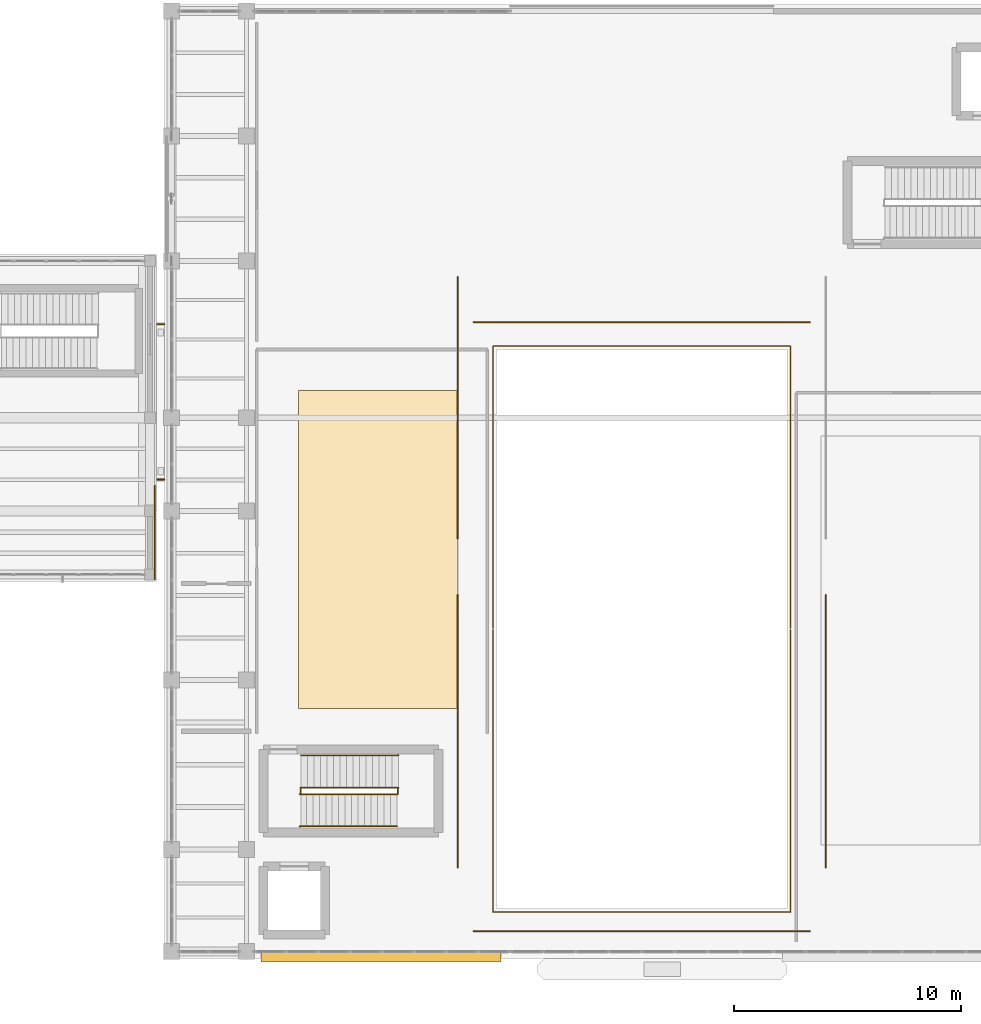
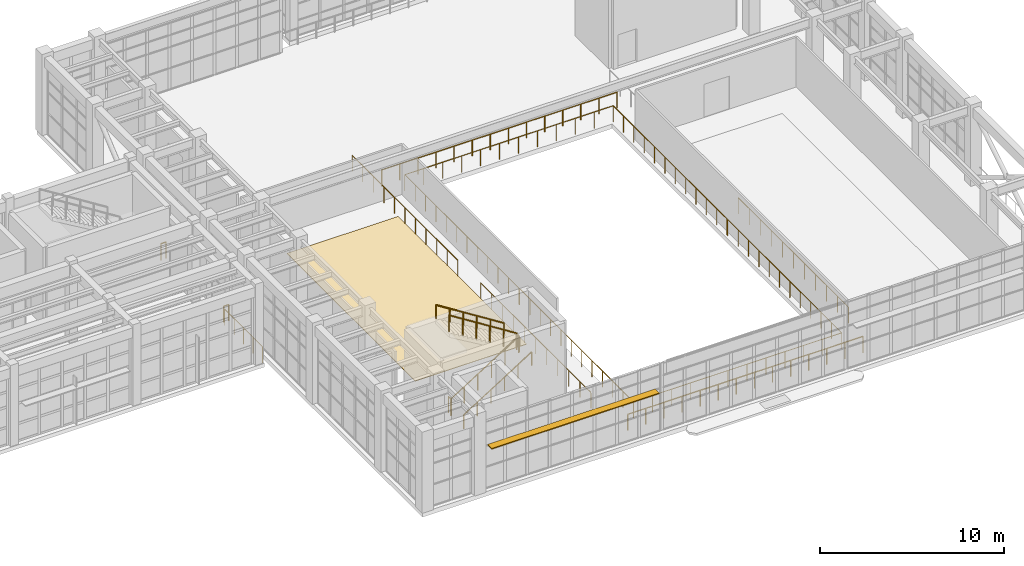
# One storey, part 100 of 103: 16 railings, 1 covering, 1 shading device.
"""IFC4 building model written with IfcOpenShell, lengths in metres."""

from ifc_helpers import new_model, si_unit, direction, frame, origin, origin_2d, place, context, subcontext, project, spatial, rectangle, circle, extrude, material, layer, layer_set, type_object, element, save


model = new_model("IFC4")

# Units and contexts
model_context = context("Model", 3, precision=1e-05, world=origin(), true_north=direction((0.0, 1.0)))
body_context = subcontext(model_context, "Body", "Model", "MODEL_VIEW")
ifc_project = project(units=[si_unit("LENGTHUNIT", "METRE"), si_unit("AREAUNIT", "SQUARE_METRE"), si_unit("VOLUMEUNIT", "CUBIC_METRE"), si_unit("PLANEANGLEUNIT", "RADIAN"), si_unit("MASSUNIT", "GRAM", prefix="KILO")], contexts=[model_context])

# Site, building, storey
site_placement = place(None, origin())
site = spatial("IfcSite", under=ifc_project, at=site_placement, CompositionType="ELEMENT")
building_placement = place(site_placement, origin())
building = spatial("IfcBuilding", under=site, at=building_placement, Name="Candilejo Ridge Gondola Terminal", CompositionType="ELEMENT")
storey_placement = place(building_placement, frame((0.0, 0.0, 9.0)))
storey = spatial("IfcBuildingStorey", under=building, at=storey_placement, Name="L02", CompositionType="ELEMENT", Elevation=9.0)

# Covering
ifc_material_1 = material(Name="Flamed Andean grey granite tactile paving 30 mm", Category="masonry")
ifc_layer = layer(ifc_material_1, 0.030029296875)
ifc_layer_set = layer_set([ifc_layer], Name="ARC-COV-FLOORING-GRANITE")
covering_type = type_object("IfcCoveringType", Name="ARC-COV-FLOORING-GRANITE", PredefinedType="FLOORING", material=ifc_layer_set)
covering_placement = place(storey_placement, frame((143.0, 24.0, 0.0), z_axis=(0.0, 0.0, 1.0), x_axis=(1.0, 0.0, 0.0)))
element("IfcCovering", 1, at=covering_placement, inside=storey, type_object=covering_type, Name="Tactile granite flooring FLR-V4-BOARD-W", PredefinedType="FLOORING", context=body_context, shape_type="SweptSolid", body=[
    extrude(rectangle(XDim=7.0, YDim=14.0, at=origin_2d()), origin(), (0.0, 0.0, 1.0), 0.030029296875),
])

# Railings
ifc_material_2 = material(Name="Hot-dip galvanised steel ASTM A500 Grade B", Category="steel")
railing_type_1 = type_object("IfcRailingType", Name="ARC-GUARD-GLASS-1150", PredefinedType="GUARDRAIL", material=ifc_material_2)
for number, where, name in (
    (2, (133.27001953125, 27.080078125, 0.0), "Link bridge guard LB-SJ3-L02-S"),
    (3, (133.27001953125, 33.919921875, 0.0), "Link bridge guard LB-SJ3-L02-N"),
):
    element("IfcRailing", number, at=place(storey_placement, frame(where)), inside=storey, type_object=railing_type_1, Name=name, PredefinedType="GUARDRAIL", context=body_context, shape_type="SweptSolid", body=[
        extrude(circle(Radius=0.02392578125, at=origin_2d()), frame((0.0, 0.0, 1.076171875), z_axis=(1.0, 0.0, 0.0), x_axis=(0.0, 1.0, 0.0)), (0.0, 0.0, 1.0), 0.31005859375),
        extrude(circle(Radius=0.02099609375, at=origin_2d()), origin(), (0.0, 0.0, 1.0), 1.052001953125),
        extrude(circle(Radius=0.02099609375, at=origin_2d()), frame((0.31005859375, 0.0, 0.0)), (0.0, 0.0, 1.0), 1.052001953125),
    ])
railing_1_placement = place(storey_placement, frame((133.169921875, 22.679931640625, 0.0)))
element("IfcRailing", 4, at=railing_1_placement, inside=storey, type_object=railing_type_1, Name="Deck edge guard GR-V3-L02-E1", PredefinedType="GUARDRAIL", context=body_context, shape_type="SweptSolid", body=[
    extrude(circle(Radius=0.02392578125, at=origin_2d()), frame((0.0, 0.0, 1.076171875), z_axis=(0.0, 1.0, 0.0), x_axis=(-1.0, 0.0, 0.0)), (0.0, 0.0, 1.0), 4.1201171875),
    extrude(circle(Radius=0.02099609375, at=origin_2d()), origin(), (0.0, 0.0, 1.0), 1.052001953125),
    extrude(circle(Radius=0.02099609375, at=origin_2d()), frame((0.0, 1.030029296875, 0.0)), (0.0, 0.0, 1.0), 1.052001953125),
    extrude(circle(Radius=0.02099609375, at=origin_2d()), frame((0.0, 2.06005859375, 0.0)), (0.0, 0.0, 1.0), 1.052001953125),
    extrude(circle(Radius=0.02099609375, at=origin_2d()), frame((0.0, 3.090087890625, 0.0)), (0.0, 0.0, 1.0), 1.052001953125),
    extrude(circle(Radius=0.02099609375, at=origin_2d()), frame((0.0, 4.1201171875, 0.0)), (0.0, 0.0, 1.0), 1.052001953125),
])
railing_2_placement = place(storey_placement, frame((148.050048828125, 20.4599609375, 0.0)))
element("IfcRailing", 5, at=railing_2_placement, inside=storey, type_object=railing_type_1, Name="Well balustrade GR-V4-L02-WELL-S", PredefinedType="GUARDRAIL", context=body_context, shape_type="SweptSolid", body=[
    extrude(circle(Radius=0.02392578125, at=origin_2d()), frame((0.0, 0.0, 1.076171875), z_axis=(0.0, -1.0, 0.0), x_axis=(1.0, 0.0, 0.0)), (0.0, 0.0, 1.0), 12.409912109375),
    extrude(circle(Radius=0.02392578125, at=origin_2d()), frame((0.0, -12.409912109375, 1.076171875), z_axis=(1.0, 0.0, 0.0), x_axis=(0.0, 1.0, 0.0)), (0.0, 0.0, 1.0), 13.099853515625),
    extrude(circle(Radius=0.02392578125, at=origin_2d()), frame((13.099853515625, -12.409912109375, 1.076171875), z_axis=(0.0, 1.0, 0.0), x_axis=(-1.0, 0.0, 0.0)), (0.0, 0.0, 1.0), 12.409912109375),
    extrude(circle(Radius=0.02099609375, at=origin_2d()), origin(), (0.0, 0.0, 1.0), 1.052001953125),
    extrude(circle(Radius=0.02099609375, at=origin_2d()), frame((0.0, -1.128173828125, 0.0)), (0.0, 0.0, 1.0), 1.052001953125),
    extrude(circle(Radius=0.02099609375, at=origin_2d()), frame((0.0, -2.25634765625, 0.0)), (0.0, 0.0, 1.0), 1.052001953125),
    extrude(circle(Radius=0.02099609375, at=origin_2d()), frame((0.0, -3.384521484375, 0.0)), (0.0, 0.0, 1.0), 1.052001953125),
    extrude(circle(Radius=0.02099609375, at=origin_2d()), frame((0.0, -4.5126953125, 0.0)), (0.0, 0.0, 1.0), 1.052001953125),
    extrude(circle(Radius=0.02099609375, at=origin_2d()), frame((0.0, -5.640869140625, 0.0)), (0.0, 0.0, 1.0), 1.052001953125),
    extrude(circle(Radius=0.02099609375, at=origin_2d()), frame((0.0, -6.76904296875, 0.0)), (0.0, 0.0, 1.0), 1.052001953125),
    extrude(circle(Radius=0.02099609375, at=origin_2d()), frame((0.0, -7.897216796875, 0.0)), (0.0, 0.0, 1.0), 1.052001953125),
    extrude(circle(Radius=0.02099609375, at=origin_2d()), frame((0.0, -9.025390625, 0.0)), (0.0, 0.0, 1.0), 1.052001953125),
    extrude(circle(Radius=0.02099609375, at=origin_2d()), frame((0.0, -10.153564453125, 0.0)), (0.0, 0.0, 1.0), 1.052001953125),
    extrude(circle(Radius=0.02099609375, at=origin_2d()), frame((0.0, -11.28173828125, 0.0)), (0.0, 0.0, 1.0), 1.052001953125),
    extrude(circle(Radius=0.02099609375, at=origin_2d()), frame((0.0, -12.409912109375, 0.0)), (0.0, 0.0, 1.0), 1.052001953125),
    extrude(circle(Radius=0.02099609375, at=origin_2d()), frame((1.19091796875, -12.409912109375, 0.0)), (0.0, 0.0, 1.0), 1.052001953125),
    extrude(circle(Radius=0.02099609375, at=origin_2d()), frame((2.3818359375, -12.409912109375, 0.0)), (0.0, 0.0, 1.0), 1.052001953125),
    extrude(circle(Radius=0.02099609375, at=origin_2d()), frame((3.57275390625, -12.409912109375, 0.0)), (0.0, 0.0, 1.0), 1.052001953125),
    extrude(circle(Radius=0.02099609375, at=origin_2d()), frame((4.763671875, -12.409912109375, 0.0)), (0.0, 0.0, 1.0), 1.052001953125),
    extrude(circle(Radius=0.02099609375, at=origin_2d()), frame((5.95458984375, -12.409912109375, 0.0)), (0.0, 0.0, 1.0), 1.052001953125),
    extrude(circle(Radius=0.02099609375, at=origin_2d()), frame((7.145263671875, -12.409912109375, 0.0)), (0.0, 0.0, 1.0), 1.052001953125),
    extrude(circle(Radius=0.02099609375, at=origin_2d()), frame((8.336181640625, -12.409912109375, 0.0)), (0.0, 0.0, 1.0), 1.052001953125),
    extrude(circle(Radius=0.02099609375, at=origin_2d()), frame((9.527099609375, -12.409912109375, 0.0)), (0.0, 0.0, 1.0), 1.052001953125),
    extrude(circle(Radius=0.02099609375, at=origin_2d()), frame((10.718017578125, -12.409912109375, 0.0)), (0.0, 0.0, 1.0), 1.052001953125),
    extrude(circle(Radius=0.02099609375, at=origin_2d()), frame((11.908935546875, -12.409912109375, 0.0)), (0.0, 0.0, 1.0), 1.052001953125),
    extrude(circle(Radius=0.02099609375, at=origin_2d()), frame((13.099853515625, -12.409912109375, 0.0)), (0.0, 0.0, 1.0), 1.052001953125),
    extrude(circle(Radius=0.02099609375, at=origin_2d()), frame((13.099853515625, -11.28173828125, 0.0)), (0.0, 0.0, 1.0), 1.052001953125),
    extrude(circle(Radius=0.02099609375, at=origin_2d()), frame((13.099853515625, -10.153564453125, 0.0)), (0.0, 0.0, 1.0), 1.052001953125),
    extrude(circle(Radius=0.02099609375, at=origin_2d()), frame((13.099853515625, -9.025390625, 0.0)), (0.0, 0.0, 1.0), 1.052001953125),
    extrude(circle(Radius=0.02099609375, at=origin_2d()), frame((13.099853515625, -7.897216796875, 0.0)), (0.0, 0.0, 1.0), 1.052001953125),
    extrude(circle(Radius=0.02099609375, at=origin_2d()), frame((13.099853515625, -6.76904296875, 0.0)), (0.0, 0.0, 1.0), 1.052001953125),
    extrude(circle(Radius=0.02099609375, at=origin_2d()), frame((13.099853515625, -5.640869140625, 0.0)), (0.0, 0.0, 1.0), 1.052001953125),
    extrude(circle(Radius=0.02099609375, at=origin_2d()), frame((13.099853515625, -4.5126953125, 0.0)), (0.0, 0.0, 1.0), 1.052001953125),
    extrude(circle(Radius=0.02099609375, at=origin_2d()), frame((13.099853515625, -3.384521484375, 0.0)), (0.0, 0.0, 1.0), 1.052001953125),
    extrude(circle(Radius=0.02099609375, at=origin_2d()), frame((13.099853515625, -2.25634765625, 0.0)), (0.0, 0.0, 1.0), 1.052001953125),
    extrude(circle(Radius=0.02099609375, at=origin_2d()), frame((13.099853515625, -1.128173828125, 0.0)), (0.0, 0.0, 1.0), 1.052001953125),
    extrude(circle(Radius=0.02099609375, at=origin_2d()), frame((13.099853515625, 0.0, 0.0)), (0.0, 0.0, 1.0), 1.052001953125),
])
railing_3_placement = place(storey_placement, frame((148.050048828125, 20.5400390625, 0.0)))
element("IfcRailing", 6, at=railing_3_placement, inside=storey, type_object=railing_type_1, Name="Well balustrade GR-V4-L02-WELL-N", PredefinedType="GUARDRAIL", context=body_context, shape_type="SweptSolid", body=[
    extrude(circle(Radius=0.02392578125, at=origin_2d()), frame((0.0, 0.0, 1.076171875), z_axis=(0.0, 1.0, 0.0), x_axis=(-1.0, 0.0, 0.0)), (0.0, 0.0, 1.0), 12.409912109375),
    extrude(circle(Radius=0.02392578125, at=origin_2d()), frame((0.0, 12.409912109375, 1.076171875), z_axis=(1.0, 0.0, 0.0), x_axis=(0.0, 1.0, 0.0)), (0.0, 0.0, 1.0), 13.099853515625),
    extrude(circle(Radius=0.02392578125, at=origin_2d()), frame((13.099853515625, 12.409912109375, 1.076171875), z_axis=(0.0, -1.0, 0.0), x_axis=(1.0, 0.0, 0.0)), (0.0, 0.0, 1.0), 12.409912109375),
    extrude(circle(Radius=0.02099609375, at=origin_2d()), origin(), (0.0, 0.0, 1.0), 1.052001953125),
    extrude(circle(Radius=0.02099609375, at=origin_2d()), frame((0.0, 1.128173828125, 0.0)), (0.0, 0.0, 1.0), 1.052001953125),
    extrude(circle(Radius=0.02099609375, at=origin_2d()), frame((0.0, 2.25634765625, 0.0)), (0.0, 0.0, 1.0), 1.052001953125),
    extrude(circle(Radius=0.02099609375, at=origin_2d()), frame((0.0, 3.384521484375, 0.0)), (0.0, 0.0, 1.0), 1.052001953125),
    extrude(circle(Radius=0.02099609375, at=origin_2d()), frame((0.0, 4.5126953125, 0.0)), (0.0, 0.0, 1.0), 1.052001953125),
    extrude(circle(Radius=0.02099609375, at=origin_2d()), frame((0.0, 5.640869140625, 0.0)), (0.0, 0.0, 1.0), 1.052001953125),
    extrude(circle(Radius=0.02099609375, at=origin_2d()), frame((0.0, 6.76904296875, 0.0)), (0.0, 0.0, 1.0), 1.052001953125),
    extrude(circle(Radius=0.02099609375, at=origin_2d()), frame((0.0, 7.897216796875, 0.0)), (0.0, 0.0, 1.0), 1.052001953125),
    extrude(circle(Radius=0.02099609375, at=origin_2d()), frame((0.0, 9.025390625, 0.0)), (0.0, 0.0, 1.0), 1.052001953125),
    extrude(circle(Radius=0.02099609375, at=origin_2d()), frame((0.0, 10.153564453125, 0.0)), (0.0, 0.0, 1.0), 1.052001953125),
    extrude(circle(Radius=0.02099609375, at=origin_2d()), frame((0.0, 11.28173828125, 0.0)), (0.0, 0.0, 1.0), 1.052001953125),
    extrude(circle(Radius=0.02099609375, at=origin_2d()), frame((0.0, 12.409912109375, 0.0)), (0.0, 0.0, 1.0), 1.052001953125),
    extrude(circle(Radius=0.02099609375, at=origin_2d()), frame((1.19091796875, 12.409912109375, 0.0)), (0.0, 0.0, 1.0), 1.052001953125),
    extrude(circle(Radius=0.02099609375, at=origin_2d()), frame((2.3818359375, 12.409912109375, 0.0)), (0.0, 0.0, 1.0), 1.052001953125),
    extrude(circle(Radius=0.02099609375, at=origin_2d()), frame((3.57275390625, 12.409912109375, 0.0)), (0.0, 0.0, 1.0), 1.052001953125),
    extrude(circle(Radius=0.02099609375, at=origin_2d()), frame((4.763671875, 12.409912109375, 0.0)), (0.0, 0.0, 1.0), 1.052001953125),
    extrude(circle(Radius=0.02099609375, at=origin_2d()), frame((5.95458984375, 12.409912109375, 0.0)), (0.0, 0.0, 1.0), 1.052001953125),
    extrude(circle(Radius=0.02099609375, at=origin_2d()), frame((7.145263671875, 12.409912109375, 0.0)), (0.0, 0.0, 1.0), 1.052001953125),
    extrude(circle(Radius=0.02099609375, at=origin_2d()), frame((8.336181640625, 12.409912109375, 0.0)), (0.0, 0.0, 1.0), 1.052001953125),
    extrude(circle(Radius=0.02099609375, at=origin_2d()), frame((9.527099609375, 12.409912109375, 0.0)), (0.0, 0.0, 1.0), 1.052001953125),
    extrude(circle(Radius=0.02099609375, at=origin_2d()), frame((10.718017578125, 12.409912109375, 0.0)), (0.0, 0.0, 1.0), 1.052001953125),
    extrude(circle(Radius=0.02099609375, at=origin_2d()), frame((11.908935546875, 12.409912109375, 0.0)), (0.0, 0.0, 1.0), 1.052001953125),
    extrude(circle(Radius=0.02099609375, at=origin_2d()), frame((13.099853515625, 12.409912109375, 0.0)), (0.0, 0.0, 1.0), 1.052001953125),
    extrude(circle(Radius=0.02099609375, at=origin_2d()), frame((13.099853515625, 11.28173828125, 0.0)), (0.0, 0.0, 1.0), 1.052001953125),
    extrude(circle(Radius=0.02099609375, at=origin_2d()), frame((13.099853515625, 10.153564453125, 0.0)), (0.0, 0.0, 1.0), 1.052001953125),
    extrude(circle(Radius=0.02099609375, at=origin_2d()), frame((13.099853515625, 9.025390625, 0.0)), (0.0, 0.0, 1.0), 1.052001953125),
    extrude(circle(Radius=0.02099609375, at=origin_2d()), frame((13.099853515625, 7.897216796875, 0.0)), (0.0, 0.0, 1.0), 1.052001953125),
    extrude(circle(Radius=0.02099609375, at=origin_2d()), frame((13.099853515625, 6.76904296875, 0.0)), (0.0, 0.0, 1.0), 1.052001953125),
    extrude(circle(Radius=0.02099609375, at=origin_2d()), frame((13.099853515625, 5.640869140625, 0.0)), (0.0, 0.0, 1.0), 1.052001953125),
    extrude(circle(Radius=0.02099609375, at=origin_2d()), frame((13.099853515625, 4.5126953125, 0.0)), (0.0, 0.0, 1.0), 1.052001953125),
    extrude(circle(Radius=0.02099609375, at=origin_2d()), frame((13.099853515625, 3.384521484375, 0.0)), (0.0, 0.0, 1.0), 1.052001953125),
    extrude(circle(Radius=0.02099609375, at=origin_2d()), frame((13.099853515625, 2.25634765625, 0.0)), (0.0, 0.0, 1.0), 1.052001953125),
    extrude(circle(Radius=0.02099609375, at=origin_2d()), frame((13.099853515625, 1.128173828125, 0.0)), (0.0, 0.0, 1.0), 1.052001953125),
    extrude(circle(Radius=0.02099609375, at=origin_2d()), frame((13.099853515625, 0.0, 0.0)), (0.0, 0.0, 1.0), 1.052001953125),
])
ifc_material_3 = material(Name="Hot-dip galvanised steel ASTM A500 Grade B", Category="steel")
railing_type_2 = type_object("IfcRailingType", Name="ARC-STAIR-GUARD-1100", PredefinedType="GUARDRAIL", material=ifc_material_3)
railing_4_placement = place(storey_placement, frame((139.580078125, 13.235107421875, 0.0)))
element("IfcRailing", 7, at=railing_4_placement, inside=storey, type_object=railing_type_2, Name="Arrival well guard ST-V4A-L01-ARR-L02", PredefinedType="GUARDRAIL", context=body_context, shape_type="SweptSolid", body=[
    extrude(circle(Radius=0.02392578125, at=origin_2d()), frame((0.0, 0.0, 1.076171875), z_axis=(0.0, 1.0, 0.0), x_axis=(-1.0, 0.0, 0.0)), (0.0, 0.0, 1.0), 0.27978515625),
    extrude(circle(Radius=0.02099609375, at=origin_2d()), origin(), (0.0, 0.0, 1.0), 1.052001953125),
    extrude(circle(Radius=0.02099609375, at=origin_2d()), frame((0.0, 0.27978515625, 0.0)), (0.0, 0.0, 1.0), 1.052001953125),
])
railing_5_placement = place(storey_placement, frame((139.550048828125, 13.235107421875, 0.0)))
element("IfcRailing", 8, at=railing_5_placement, inside=storey, type_object=railing_type_2, Name="Flight well guard ST-V4A-F05", PredefinedType="GUARDRAIL", context=body_context, shape_type="SweptSolid", body=[
    extrude(circle(Radius=0.02392578125, at=origin_2d()), frame((0.0, 0.0, 1.076171875), z_axis=(0.845487755639, 0.0, 0.533994808088), x_axis=(0.0, 1.0, 0.0)), (0.0, 0.0, 1.0), 5.05615234375),
    extrude(circle(Radius=0.02099609375, at=origin_2d()), origin(), (0.0, 0.0, 1.0), 1.052001953125),
    extrude(circle(Radius=0.02099609375, at=origin_2d()), frame((0.85498046875, 0.0, 0.5400390625)), (0.0, 0.0, 1.0), 1.052001953125),
    extrude(circle(Radius=0.02099609375, at=origin_2d()), frame((1.7099609375, 0.0, 1.080078125)), (0.0, 0.0, 1.0), 1.052001953125),
    extrude(circle(Radius=0.02099609375, at=origin_2d()), frame((2.56494140625, 0.0, 1.619873046875)), (0.0, 0.0, 1.0), 1.052001953125),
    extrude(circle(Radius=0.02099609375, at=origin_2d()), frame((3.419921875, 0.0, 2.159912109375)), (0.0, 0.0, 1.0), 1.052001953125),
    extrude(circle(Radius=0.02099609375, at=origin_2d()), frame((4.27490234375, 0.0, 2.699951171875)), (0.0, 0.0, 1.0), 1.052001953125),
])
railing_6_placement = place(storey_placement, frame((143.85498046875, 13.235107421875, 2.699951171875)))
element("IfcRailing", 9, at=railing_6_placement, inside=storey, type_object=railing_type_2, Name="Half-landing slot guard ST-V4A-LND-03", PredefinedType="GUARDRAIL", context=body_context, shape_type="SweptSolid", body=[
    extrude(circle(Radius=0.02392578125, at=origin_2d()), frame((0.0, 0.0, 1.076171875), z_axis=(0.0, 1.0, 0.0), x_axis=(-1.0, 0.0, 0.0)), (0.0, 0.0, 1.0), 0.27978515625),
    extrude(circle(Radius=0.02099609375, at=origin_2d()), origin(), (0.0, 0.0, 1.0), 1.052001953125),
    extrude(circle(Radius=0.02099609375, at=origin_2d()), frame((0.0, 0.27978515625, 0.0)), (0.0, 0.0, 1.0), 1.052001953125),
])
railing_7_placement = place(storey_placement, frame((143.885009765625, 13.514892578125, 2.699951171875)))
element("IfcRailing", 10, at=railing_7_placement, inside=storey, type_object=railing_type_2, Name="Flight well guard ST-V4A-F06", PredefinedType="GUARDRAIL", context=body_context, shape_type="SweptSolid", body=[
    extrude(circle(Radius=0.02392578125, at=origin_2d()), frame((0.0, 0.0, 1.076171875), z_axis=(-0.845487755639, 0.0, 0.533994808088), x_axis=(0.0, -1.0, 0.0)), (0.0, 0.0, 1.0), 5.05615234375),
    extrude(circle(Radius=0.02099609375, at=origin_2d()), origin(), (0.0, 0.0, 1.0), 1.052001953125),
    extrude(circle(Radius=0.02099609375, at=origin_2d()), frame((-0.85498046875, 0.0, 0.5400390625)), (0.0, 0.0, 1.0), 1.052001953125),
    extrude(circle(Radius=0.02099609375, at=origin_2d()), frame((-1.7099609375, 0.0, 1.080078125)), (0.0, 0.0, 1.0), 1.052001953125),
    extrude(circle(Radius=0.02099609375, at=origin_2d()), frame((-2.56494140625, 0.0, 1.619873046875)), (0.0, 0.0, 1.0), 1.052001953125),
    extrude(circle(Radius=0.02099609375, at=origin_2d()), frame((-3.419921875, 0.0, 2.159912109375)), (0.0, 0.0, 1.0), 1.052001953125),
    extrude(circle(Radius=0.02099609375, at=origin_2d()), frame((-4.27490234375, 0.0, 2.699951171875)), (0.0, 0.0, 1.0), 1.052001953125),
])
ifc_material_4 = material(Name="Brushed stainless steel AISI 316", Category="steel")
railing_type_3 = type_object("IfcRailingType", Name="ARC-STAIR-HANDRAIL-920", PredefinedType="HANDRAIL", material=ifc_material_4)
railing_8_placement = place(storey_placement, frame((139.550048828125, 11.81494140625, 0.0)))
element("IfcRailing", 11, at=railing_8_placement, inside=storey, type_object=railing_type_3, Name="Wall handrail ST-V4A-F05", PredefinedType="HANDRAIL", context=body_context, shape_type="SweptSolid", body=[
    extrude(circle(Radius=0.02392578125, at=origin_2d()), frame((0.0, 0.0, 0.89599609375), z_axis=(0.845487755639, 0.0, 0.533994808088), x_axis=(0.0, 1.0, 0.0)), (0.0, 0.0, 1.0), 5.05615234375),
    extrude(circle(Radius=0.02099609375, at=origin_2d()), origin(), (0.0, 0.0, 1.0), 0.871826171875),
    extrude(circle(Radius=0.02099609375, at=origin_2d()), frame((0.85498046875, 0.0, 0.5400390625)), (0.0, 0.0, 1.0), 0.871826171875),
    extrude(circle(Radius=0.02099609375, at=origin_2d()), frame((1.7099609375, 0.0, 1.080078125)), (0.0, 0.0, 1.0), 0.871826171875),
    extrude(circle(Radius=0.02099609375, at=origin_2d()), frame((2.56494140625, 0.0, 1.619873046875)), (0.0, 0.0, 1.0), 0.871826171875),
    extrude(circle(Radius=0.02099609375, at=origin_2d()), frame((3.419921875, 0.0, 2.159912109375)), (0.0, 0.0, 1.0), 0.871826171875),
    extrude(circle(Radius=0.02099609375, at=origin_2d()), frame((4.27490234375, 0.0, 2.699951171875)), (0.0, 0.0, 1.0), 0.871826171875),
])
railing_9_placement = place(storey_placement, frame((143.885009765625, 14.93505859375, 2.699951171875)))
element("IfcRailing", 12, at=railing_9_placement, inside=storey, type_object=railing_type_3, Name="Wall handrail ST-V4A-F06", PredefinedType="HANDRAIL", context=body_context, shape_type="SweptSolid", body=[
    extrude(circle(Radius=0.02392578125, at=origin_2d()), frame((0.0, 0.0, 0.89599609375), z_axis=(-0.845487755639, 0.0, 0.533994808088), x_axis=(0.0, -1.0, 0.0)), (0.0, 0.0, 1.0), 5.05615234375),
    extrude(circle(Radius=0.02099609375, at=origin_2d()), origin(), (0.0, 0.0, 1.0), 0.871826171875),
    extrude(circle(Radius=0.02099609375, at=origin_2d()), frame((-0.85498046875, 0.0, 0.5400390625)), (0.0, 0.0, 1.0), 0.871826171875),
    extrude(circle(Radius=0.02099609375, at=origin_2d()), frame((-1.7099609375, 0.0, 1.080078125)), (0.0, 0.0, 1.0), 0.871826171875),
    extrude(circle(Radius=0.02099609375, at=origin_2d()), frame((-2.56494140625, 0.0, 1.619873046875)), (0.0, 0.0, 1.0), 0.871826171875),
    extrude(circle(Radius=0.02099609375, at=origin_2d()), frame((-3.419921875, 0.0, 2.159912109375)), (0.0, 0.0, 1.0), 0.871826171875),
    extrude(circle(Radius=0.02099609375, at=origin_2d()), frame((-4.27490234375, 0.0, 2.699951171875)), (0.0, 0.0, 1.0), 0.871826171875),
])
ifc_material_5 = material(Name="Hot-dip galvanised steel ASTM A500 Grade B", Category="steel")
railing_type_4 = type_object("IfcRailingType", Name="GON-GUIDE-BUMPER", PredefinedType="USERDEFINED", material=ifc_material_5)
railing_10_placement = place(storey_placement, frame((146.5, 10.0, 0.0)))
element("IfcRailing", 13, at=railing_10_placement, inside=storey, type_object=railing_type_4, Name="Gondola passenger guide rail GB-V4-W1", ObjectType="GUIDE BARRIER", PredefinedType="USERDEFINED", context=body_context, shape_type="SweptSolid", body=[
    extrude(circle(Radius=0.02392578125, at=origin_2d()), frame((0.0, 0.0, 1.05615234375), z_axis=(0.0, 1.0, 0.0), x_axis=(-1.0, 0.0, 0.0)), (0.0, 0.0, 1.0), 12.0),
    extrude(circle(Radius=0.02099609375, at=origin_2d()), origin(), (0.0, 0.0, 1.0), 1.031982421875),
    extrude(circle(Radius=0.02099609375, at=origin_2d()), frame((0.0, 1.199951171875, 0.0)), (0.0, 0.0, 1.0), 1.031982421875),
    extrude(circle(Radius=0.02099609375, at=origin_2d()), frame((0.0, 2.39990234375, 0.0)), (0.0, 0.0, 1.0), 1.031982421875),
    extrude(circle(Radius=0.02099609375, at=origin_2d()), frame((0.0, 3.60009765625, 0.0)), (0.0, 0.0, 1.0), 1.031982421875),
    extrude(circle(Radius=0.02099609375, at=origin_2d()), frame((0.0, 4.800048828125, 0.0)), (0.0, 0.0, 1.0), 1.031982421875),
    extrude(circle(Radius=0.02099609375, at=origin_2d()), frame((0.0, 6.0, 0.0)), (0.0, 0.0, 1.0), 1.031982421875),
    extrude(circle(Radius=0.02099609375, at=origin_2d()), frame((0.0, 7.199951171875, 0.0)), (0.0, 0.0, 1.0), 1.031982421875),
    extrude(circle(Radius=0.02099609375, at=origin_2d()), frame((0.0, 8.39990234375, 0.0)), (0.0, 0.0, 1.0), 1.031982421875),
    extrude(circle(Radius=0.02099609375, at=origin_2d()), frame((0.0, 9.60009765625, 0.0)), (0.0, 0.0, 1.0), 1.031982421875),
    extrude(circle(Radius=0.02099609375, at=origin_2d()), frame((0.0, 10.800048828125, 0.0)), (0.0, 0.0, 1.0), 1.031982421875),
    extrude(circle(Radius=0.02099609375, at=origin_2d()), frame((0.0, 12.0, 0.0)), (0.0, 0.0, 1.0), 1.031982421875),
])
railing_11_placement = place(storey_placement, frame((146.5, 24.5, 0.0)))
element("IfcRailing", 14, at=railing_11_placement, inside=storey, type_object=railing_type_4, Name="Gondola passenger guide rail GB-V4-W2", ObjectType="GUIDE BARRIER", PredefinedType="USERDEFINED", context=body_context, shape_type="SweptSolid", body=[
    extrude(circle(Radius=0.02392578125, at=origin_2d()), frame((0.0, 0.0, 1.05615234375), z_axis=(0.0, 1.0, 0.0), x_axis=(-1.0, 0.0, 0.0)), (0.0, 0.0, 1.0), 11.5),
    extrude(circle(Radius=0.02099609375, at=origin_2d()), origin(), (0.0, 0.0, 1.0), 1.031982421875),
    extrude(circle(Radius=0.02099609375, at=origin_2d()), frame((0.0, 1.14990234375, 0.0)), (0.0, 0.0, 1.0), 1.031982421875),
    extrude(circle(Radius=0.02099609375, at=origin_2d()), frame((0.0, 2.300048828125, 0.0)), (0.0, 0.0, 1.0), 1.031982421875),
    extrude(circle(Radius=0.02099609375, at=origin_2d()), frame((0.0, 3.449951171875, 0.0)), (0.0, 0.0, 1.0), 1.031982421875),
    extrude(circle(Radius=0.02099609375, at=origin_2d()), frame((0.0, 4.60009765625, 0.0)), (0.0, 0.0, 1.0), 1.031982421875),
    extrude(circle(Radius=0.02099609375, at=origin_2d()), frame((0.0, 5.75, 0.0)), (0.0, 0.0, 1.0), 1.031982421875),
    extrude(circle(Radius=0.02099609375, at=origin_2d()), frame((0.0, 6.89990234375, 0.0)), (0.0, 0.0, 1.0), 1.031982421875),
    extrude(circle(Radius=0.02099609375, at=origin_2d()), frame((0.0, 8.050048828125, 0.0)), (0.0, 0.0, 1.0), 1.031982421875),
    extrude(circle(Radius=0.02099609375, at=origin_2d()), frame((0.0, 9.199951171875, 0.0)), (0.0, 0.0, 1.0), 1.031982421875),
    extrude(circle(Radius=0.02099609375, at=origin_2d()), frame((0.0, 10.35009765625, 0.0)), (0.0, 0.0, 1.0), 1.031982421875),
    extrude(circle(Radius=0.02099609375, at=origin_2d()), frame((0.0, 11.5, 0.0)), (0.0, 0.0, 1.0), 1.031982421875),
])
railing_12_placement = place(storey_placement, frame((162.699951171875, 10.0, 0.0)))
element("IfcRailing", 15, at=railing_12_placement, inside=storey, type_object=railing_type_4, Name="Gondola passenger guide rail GB-V4-E1", ObjectType="GUIDE BARRIER", PredefinedType="USERDEFINED", context=body_context, shape_type="SweptSolid", body=[
    extrude(circle(Radius=0.02392578125, at=origin_2d()), frame((0.0, 0.0, 1.05615234375), z_axis=(0.0, 1.0, 0.0), x_axis=(-1.0, 0.0, 0.0)), (0.0, 0.0, 1.0), 12.0),
    extrude(circle(Radius=0.02099609375, at=origin_2d()), origin(), (0.0, 0.0, 1.0), 1.031982421875),
    extrude(circle(Radius=0.02099609375, at=origin_2d()), frame((0.0, 1.199951171875, 0.0)), (0.0, 0.0, 1.0), 1.031982421875),
    extrude(circle(Radius=0.02099609375, at=origin_2d()), frame((0.0, 2.39990234375, 0.0)), (0.0, 0.0, 1.0), 1.031982421875),
    extrude(circle(Radius=0.02099609375, at=origin_2d()), frame((0.0, 3.60009765625, 0.0)), (0.0, 0.0, 1.0), 1.031982421875),
    extrude(circle(Radius=0.02099609375, at=origin_2d()), frame((0.0, 4.800048828125, 0.0)), (0.0, 0.0, 1.0), 1.031982421875),
    extrude(circle(Radius=0.02099609375, at=origin_2d()), frame((0.0, 6.0, 0.0)), (0.0, 0.0, 1.0), 1.031982421875),
    extrude(circle(Radius=0.02099609375, at=origin_2d()), frame((0.0, 7.199951171875, 0.0)), (0.0, 0.0, 1.0), 1.031982421875),
    extrude(circle(Radius=0.02099609375, at=origin_2d()), frame((0.0, 8.39990234375, 0.0)), (0.0, 0.0, 1.0), 1.031982421875),
    extrude(circle(Radius=0.02099609375, at=origin_2d()), frame((0.0, 9.60009765625, 0.0)), (0.0, 0.0, 1.0), 1.031982421875),
    extrude(circle(Radius=0.02099609375, at=origin_2d()), frame((0.0, 10.800048828125, 0.0)), (0.0, 0.0, 1.0), 1.031982421875),
    extrude(circle(Radius=0.02099609375, at=origin_2d()), frame((0.0, 12.0, 0.0)), (0.0, 0.0, 1.0), 1.031982421875),
])
railing_13_placement = place(storey_placement, frame((147.199951171875, 7.199951171875, 0.0)))
element("IfcRailing", 16, at=railing_13_placement, inside=storey, type_object=railing_type_4, Name="Gondola passenger guide rail GB-V4-S", ObjectType="GUIDE BARRIER", PredefinedType="USERDEFINED", context=body_context, shape_type="SweptSolid", body=[
    extrude(circle(Radius=0.02392578125, at=origin_2d()), frame((0.0, 0.0, 1.05615234375), z_axis=(1.0, 0.0, 0.0), x_axis=(0.0, 1.0, 0.0)), (0.0, 0.0, 1.0), 14.800048828125),
    extrude(circle(Radius=0.02099609375, at=origin_2d()), origin(), (0.0, 0.0, 1.0), 1.031982421875),
    extrude(circle(Radius=0.02099609375, at=origin_2d()), frame((1.138427734375, 0.0, 0.0)), (0.0, 0.0, 1.0), 1.031982421875),
    extrude(circle(Radius=0.02099609375, at=origin_2d()), frame((2.27685546875, 0.0, 0.0)), (0.0, 0.0, 1.0), 1.031982421875),
    extrude(circle(Radius=0.02099609375, at=origin_2d()), frame((3.415283203125, 0.0, 0.0)), (0.0, 0.0, 1.0), 1.031982421875),
    extrude(circle(Radius=0.02099609375, at=origin_2d()), frame((4.553955078125, 0.0, 0.0)), (0.0, 0.0, 1.0), 1.031982421875),
    extrude(circle(Radius=0.02099609375, at=origin_2d()), frame((5.6923828125, 0.0, 0.0)), (0.0, 0.0, 1.0), 1.031982421875),
    extrude(circle(Radius=0.02099609375, at=origin_2d()), frame((6.830810546875, 0.0, 0.0)), (0.0, 0.0, 1.0), 1.031982421875),
    extrude(circle(Radius=0.02099609375, at=origin_2d()), frame((7.96923828125, 0.0, 0.0)), (0.0, 0.0, 1.0), 1.031982421875),
    extrude(circle(Radius=0.02099609375, at=origin_2d()), frame((9.107666015625, 0.0, 0.0)), (0.0, 0.0, 1.0), 1.031982421875),
    extrude(circle(Radius=0.02099609375, at=origin_2d()), frame((10.24609375, 0.0, 0.0)), (0.0, 0.0, 1.0), 1.031982421875),
    extrude(circle(Radius=0.02099609375, at=origin_2d()), frame((11.384765625, 0.0, 0.0)), (0.0, 0.0, 1.0), 1.031982421875),
    extrude(circle(Radius=0.02099609375, at=origin_2d()), frame((12.523193359375, 0.0, 0.0)), (0.0, 0.0, 1.0), 1.031982421875),
    extrude(circle(Radius=0.02099609375, at=origin_2d()), frame((13.66162109375, 0.0, 0.0)), (0.0, 0.0, 1.0), 1.031982421875),
    extrude(circle(Radius=0.02099609375, at=origin_2d()), frame((14.800048828125, 0.0, 0.0)), (0.0, 0.0, 1.0), 1.031982421875),
])
railing_14_placement = place(storey_placement, frame((147.199951171875, 34.0, 0.0)))
element("IfcRailing", 17, at=railing_14_placement, inside=storey, type_object=railing_type_4, Name="Gondola passenger guide rail GB-V4-N", ObjectType="GUIDE BARRIER", PredefinedType="USERDEFINED", context=body_context, shape_type="SweptSolid", body=[
    extrude(circle(Radius=0.02392578125, at=origin_2d()), frame((0.0, 0.0, 1.05615234375), z_axis=(1.0, 0.0, 0.0), x_axis=(0.0, 1.0, 0.0)), (0.0, 0.0, 1.0), 14.800048828125),
    extrude(circle(Radius=0.02099609375, at=origin_2d()), origin(), (0.0, 0.0, 1.0), 1.031982421875),
    extrude(circle(Radius=0.02099609375, at=origin_2d()), frame((1.138427734375, 0.0, 0.0)), (0.0, 0.0, 1.0), 1.031982421875),
    extrude(circle(Radius=0.02099609375, at=origin_2d()), frame((2.27685546875, 0.0, 0.0)), (0.0, 0.0, 1.0), 1.031982421875),
    extrude(circle(Radius=0.02099609375, at=origin_2d()), frame((3.415283203125, 0.0, 0.0)), (0.0, 0.0, 1.0), 1.031982421875),
    extrude(circle(Radius=0.02099609375, at=origin_2d()), frame((4.553955078125, 0.0, 0.0)), (0.0, 0.0, 1.0), 1.031982421875),
    extrude(circle(Radius=0.02099609375, at=origin_2d()), frame((5.6923828125, 0.0, 0.0)), (0.0, 0.0, 1.0), 1.031982421875),
    extrude(circle(Radius=0.02099609375, at=origin_2d()), frame((6.830810546875, 0.0, 0.0)), (0.0, 0.0, 1.0), 1.031982421875),
    extrude(circle(Radius=0.02099609375, at=origin_2d()), frame((7.96923828125, 0.0, 0.0)), (0.0, 0.0, 1.0), 1.031982421875),
    extrude(circle(Radius=0.02099609375, at=origin_2d()), frame((9.107666015625, 0.0, 0.0)), (0.0, 0.0, 1.0), 1.031982421875),
    extrude(circle(Radius=0.02099609375, at=origin_2d()), frame((10.24609375, 0.0, 0.0)), (0.0, 0.0, 1.0), 1.031982421875),
    extrude(circle(Radius=0.02099609375, at=origin_2d()), frame((11.384765625, 0.0, 0.0)), (0.0, 0.0, 1.0), 1.031982421875),
    extrude(circle(Radius=0.02099609375, at=origin_2d()), frame((12.523193359375, 0.0, 0.0)), (0.0, 0.0, 1.0), 1.031982421875),
    extrude(circle(Radius=0.02099609375, at=origin_2d()), frame((13.66162109375, 0.0, 0.0)), (0.0, 0.0, 1.0), 1.031982421875),
    extrude(circle(Radius=0.02099609375, at=origin_2d()), frame((14.800048828125, 0.0, 0.0)), (0.0, 0.0, 1.0), 1.031982421875),
])

# Shading device
ifc_material_6 = material(Name="Anodised aluminium AA 6063-T6", Category="aluminum")
shading_device_type = type_object("IfcShadingDeviceType", Name="ARC-SHADING-JALOUSIE-450", PredefinedType="JALOUSIE", material=ifc_material_6)
shading_device_placement = place(storey_placement, frame((143.125, 6.06103515625, 2.817626953125)))
element("IfcShadingDevice", 18, at=shading_device_placement, inside=storey, type_object=shading_device_type, Name="Horizontal solar louvre LVR-V4-08", PredefinedType="JALOUSIE", context=body_context, shape_type="SweptSolid", body=[
    extrude(rectangle(XDim=10.550048828125, YDim=0.449951171875, at=origin_2d()), origin(), (0.0, 0.0, 1.0), 0.06494140625),
])

save(model, "model.ifc")
